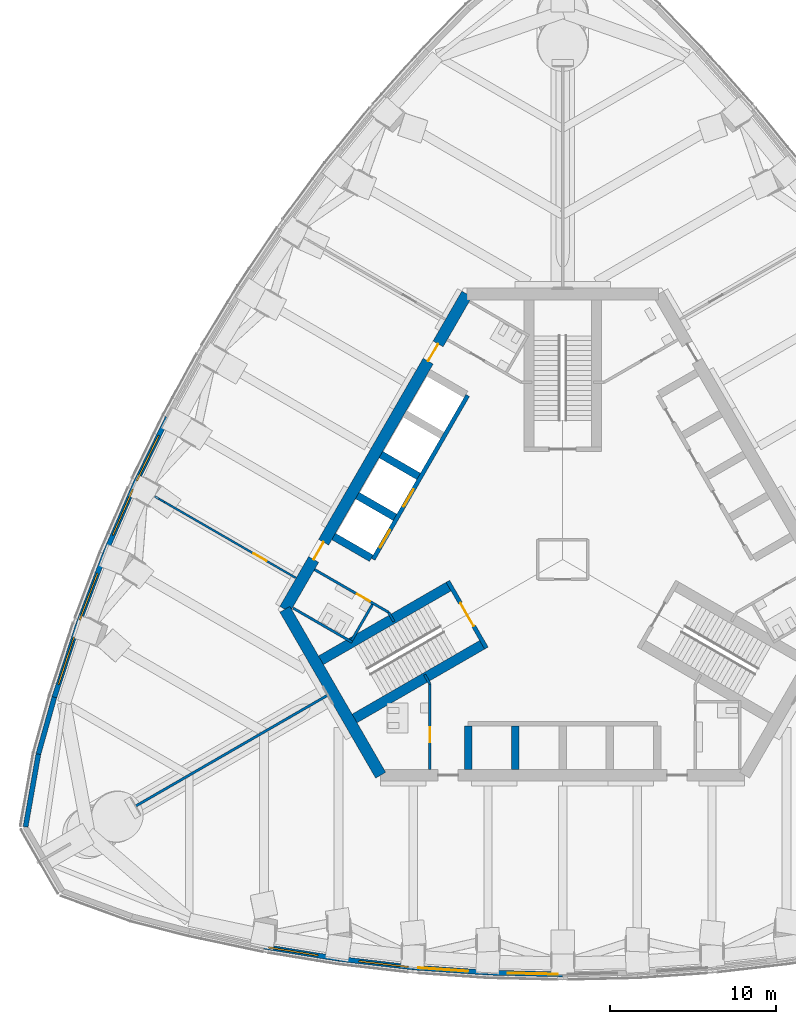
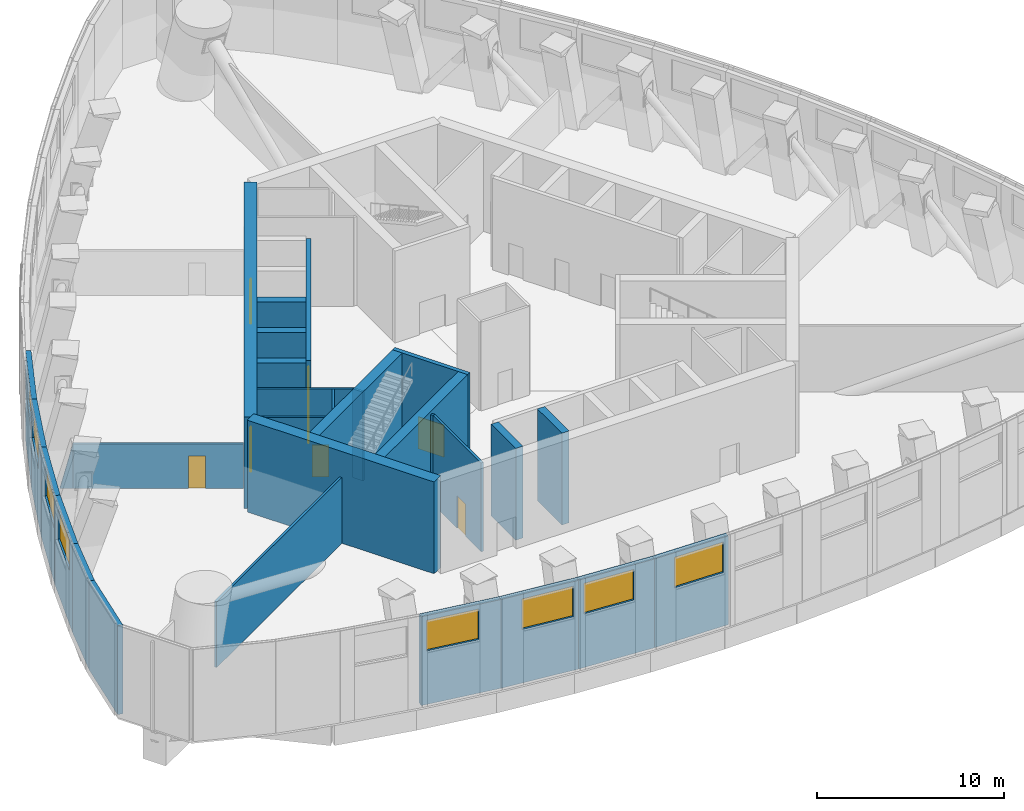
# One storey, part 6 of 22: 30 walls, 8 doors, 8 windows, 16 openings.
"""IFC4 building model written with IfcOpenShell, lengths in metres."""

from ifc_helpers import new_model, si_unit, direction, frame, frame_2d, origin, place, context, subcontext, project, spatial, polyline, rectangle, outline, extrude, material, layer, layer_set, type_object, element, fill, save


model = new_model("IFC4")

# Units and contexts
model_context = context("Model", 3, precision=1e-05, world=origin(), true_north=direction((0.0, 1.0)))
body_context = subcontext(model_context, "Body", "Model", "MODEL_VIEW")
ifc_project = project(units=[si_unit("LENGTHUNIT", "METRE"), si_unit("AREAUNIT", "SQUARE_METRE"), si_unit("VOLUMEUNIT", "CUBIC_METRE"), si_unit("PLANEANGLEUNIT", "RADIAN"), si_unit("MASSUNIT", "GRAM", prefix="KILO")], contexts=[model_context])

# Site, building, storey
site_placement = place(None, origin())
site = spatial("IfcSite", under=ifc_project, at=site_placement, CompositionType="ELEMENT")
building_placement = place(site_placement, origin())
building = spatial("IfcBuilding", under=site, at=building_placement, Name="Trefoil Bronze Tower", CompositionType="ELEMENT")
storey_placement = place(building_placement, frame((0.0, 0.0, 265.300048828125)))
storey = spatial("IfcBuildingStorey", under=building, at=storey_placement, Name="L61", CompositionType="ELEMENT", Elevation=265.300048828125)

# Wall, opening, window
ifc_material_1 = material(Name="Concrete B80", Category="concrete")
ifc_layer_1 = layer(ifc_material_1, 0.300048828125)
ifc_layer_set_1 = layer_set([ifc_layer_1], Name="Belt wall 300")
wall_type_1 = type_object("IfcWallType", Name="Belt wall 300", PredefinedType="SOLIDWALL", material=ifc_layer_set_1)
wall_1_placement = place(storey_placement, frame((-18.0, -23.3330078125, 0.0), z_axis=(0.0, 0.0, 1.0), x_axis=(0.986986525477, -0.160802980469, 0.0)))
wall_1 = element("IfcWall", 1, at=wall_1_placement, inside=storey, type_object=wall_type_1, Name="Belt wall T3.3", PredefinedType="SOLIDWALL", context=body_context, shape_type="SweptSolid", body=[
    extrude(rectangle(XDim=4.559326171875, YDim=0.300048828125, at=frame_2d((2.27978515625, 0.0))), origin(), (0.0, 0.0, 1.0), 5.800048828125),
])
opening_1_placement = place(wall_1_placement, frame((0.300048828125, 0.0, 3.5)))
opening_1 = element("IfcOpeningElement", 2, at=opening_1_placement, cuts=wall_1, Name="Opening LV1", PredefinedType="OPENING", context=body_context, shape_type="SweptSolid", body=[
    extrude(rectangle(XDim=3.0, YDim=2.0, at=frame_2d((1.5, 1.0))), frame((0.0, 0.159912109375, 0.0), z_axis=(0.0, -1.0, 0.0), x_axis=(1.0, 0.0, 0.0)), (0.0, 0.0, 1.0), 0.320068359375),
])
ifc_material_2 = material(Name="Bronze-finish aluminium louvre", Category="aluminium")
window_type = type_object("IfcWindowType", Name="Plant louvre 3000", PartitioningType="SINGLE_PANEL", PredefinedType="USERDEFINED", material=ifc_material_2)
window_1_placement = place(opening_1_placement, origin())
window_1 = element("IfcWindow", 3, at=window_1_placement, inside=storey, type_object=window_type, Name="Plant louvre L61 F1.3.1", ObjectType="LOUVRE", OverallHeight=2.0, OverallWidth=3.0, PartitioningType="SINGLE_PANEL", PredefinedType="USERDEFINED", context=body_context, shape_type="SweptSolid", body=[
    extrude(rectangle(XDim=3.0, YDim=2.0, at=frame_2d((1.5, 1.0))), frame((0.0, 0.030029296875, 0.0), z_axis=(0.0, -1.0, 0.0), x_axis=(1.0, 0.0, 0.0)), (0.0, 0.0, 1.0), 0.06005859375),
])
fill(opening_1, window_1)

wall_2_placement = place(storey_placement, frame((-13.5, -24.066162109375, 0.0), z_axis=(0.0, 0.0, 1.0), x_axis=(0.993382946625, -0.114849124309, 0.0)))
wall_2 = element("IfcWall", 4, at=wall_2_placement, inside=storey, type_object=wall_type_1, Name="Belt wall T3.4", PredefinedType="SOLIDWALL", context=body_context, shape_type="SweptSolid", body=[
    extrude(rectangle(XDim=4.530029296875, YDim=0.300048828125, at=frame_2d((2.26513671875, 0.0))), origin(), (0.0, 0.0, 1.0), 5.800048828125),
])
opening_2_placement = place(wall_2_placement, frame((1.22998046875, 0.0, 3.5)))
opening_2 = element("IfcOpeningElement", 5, at=opening_2_placement, cuts=wall_2, Name="Opening LV1", PredefinedType="OPENING", context=body_context, shape_type="SweptSolid", body=[
    extrude(rectangle(XDim=3.0, YDim=2.0, at=frame_2d((1.5, 1.0))), frame((0.0, 0.159912109375, 0.0), z_axis=(0.0, -1.0, 0.0), x_axis=(1.0, 0.0, 0.0)), (0.0, 0.0, 1.0), 0.320068359375),
])
window_2_placement = place(opening_2_placement, origin())
window_2 = element("IfcWindow", 6, at=window_2_placement, inside=storey, type_object=window_type, Name="Plant louvre L61 F1.4.1", ObjectType="LOUVRE", OverallHeight=2.0, OverallWidth=3.0, PartitioningType="SINGLE_PANEL", PredefinedType="USERDEFINED", context=body_context, shape_type="SweptSolid", body=[
    extrude(rectangle(XDim=3.0, YDim=2.0, at=frame_2d((1.5, 1.0))), frame((0.0, 0.030029296875, 0.0), z_axis=(0.0, -1.0, 0.0), x_axis=(1.0, 0.0, 0.0)), (0.0, 0.0, 1.0), 0.06005859375),
])
fill(opening_2, window_2)

wall_3_placement = place(storey_placement, frame((-9.0, -24.58642578125, 0.0), z_axis=(0.0, 0.0, 1.0), x_axis=(0.997623533978, -0.068900540297, 0.0)))
wall_3 = element("IfcWall", 7, at=wall_3_placement, inside=storey, type_object=wall_type_1, Name="Belt wall T3.5", PredefinedType="SOLIDWALL", context=body_context, shape_type="SweptSolid", body=[
    extrude(rectangle(XDim=4.5107421875, YDim=0.300048828125, at=frame_2d((2.25537109375, 0.0))), origin(), (0.0, 0.0, 1.0), 5.800048828125),
])
opening_3_placement = place(wall_3_placement, frame((0.300048828125, 0.0, 3.5)))
opening_3 = element("IfcOpeningElement", 8, at=opening_3_placement, cuts=wall_3, Name="Opening LV1", PredefinedType="OPENING", context=body_context, shape_type="SweptSolid", body=[
    extrude(rectangle(XDim=3.0, YDim=2.0, at=frame_2d((1.5, 1.0))), frame((0.0, 0.159912109375, 0.0), z_axis=(0.0, -1.0, 0.0), x_axis=(1.0, 0.0, 0.0)), (0.0, 0.0, 1.0), 0.320068359375),
])
window_3_placement = place(opening_3_placement, origin())
window_3 = element("IfcWindow", 9, at=window_3_placement, inside=storey, type_object=window_type, Name="Plant louvre L61 F1.5.1", ObjectType="LOUVRE", OverallHeight=2.0, OverallWidth=3.0, PartitioningType="SINGLE_PANEL", PredefinedType="USERDEFINED", context=body_context, shape_type="SweptSolid", body=[
    extrude(rectangle(XDim=3.0, YDim=2.0, at=frame_2d((1.5, 1.0))), frame((0.0, 0.030029296875, 0.0), z_axis=(0.0, -1.0, 0.0), x_axis=(1.0, 0.0, 0.0)), (0.0, 0.0, 1.0), 0.06005859375),
])
fill(opening_3, window_3)

wall_4_placement = place(storey_placement, frame((-4.5, -24.897216796875, 0.0), z_axis=(0.0, 0.0, 1.0), x_axis=(0.99973552509, -0.022997388381, 0.0)))
wall_4 = element("IfcWall", 10, at=wall_4_placement, inside=storey, type_object=wall_type_1, Name="Belt wall T3.6", PredefinedType="SOLIDWALL", context=body_context, shape_type="SweptSolid", body=[
    extrude(rectangle(XDim=4.501220703125, YDim=0.300048828125, at=frame_2d((2.25048828125, 0.0))), origin(), (0.0, 0.0, 1.0), 5.800048828125),
])
opening_4_placement = place(wall_4_placement, frame((1.201171875, 0.0, 3.5)))
opening_4 = element("IfcOpeningElement", 11, at=opening_4_placement, cuts=wall_4, Name="Opening LV1", PredefinedType="OPENING", context=body_context, shape_type="SweptSolid", body=[
    extrude(rectangle(XDim=3.0, YDim=2.0, at=frame_2d((1.5, 1.0))), frame((0.0, 0.159912109375, 0.0), z_axis=(0.0, -1.0, 0.0), x_axis=(1.0, 0.0, 0.0)), (0.0, 0.0, 1.0), 0.320068359375),
])
window_4_placement = place(opening_4_placement, origin())
window_4 = element("IfcWindow", 12, at=window_4_placement, inside=storey, type_object=window_type, Name="Plant louvre L61 F1.6.1", ObjectType="LOUVRE", OverallHeight=2.0, OverallWidth=3.0, PartitioningType="SINGLE_PANEL", PredefinedType="USERDEFINED", context=body_context, shape_type="SweptSolid", body=[
    extrude(rectangle(XDim=3.0, YDim=2.0, at=frame_2d((1.5, 1.0))), frame((0.0, 0.030029296875, 0.0), z_axis=(0.0, -1.0, 0.0), x_axis=(1.0, 0.0, 0.0)), (0.0, 0.0, 1.0), 0.06005859375),
])
fill(opening_4, window_4)

wall_5_placement = place(storey_placement, frame((-23.8115234375, 8.551513671875, 0.0), z_axis=(0.0, 0.0, 1.0), x_axis=(-0.439163535873, -0.898407139753, 0.0)))
wall_5 = element("IfcWall", 13, at=wall_5_placement, inside=storey, type_object=wall_type_1, Name="Belt wall T3.38", PredefinedType="SOLIDWALL", context=body_context, shape_type="SweptSolid", body=[
    extrude(rectangle(XDim=4.5107421875, YDim=0.300048828125, at=frame_2d((2.25537109375, 0.0))), origin(), (0.0, 0.0, 1.0), 5.800048828125),
])
opening_5_placement = place(wall_5_placement, frame((1.210693359375, 0.0, 3.5)))
opening_5 = element("IfcOpeningElement", 14, at=opening_5_placement, cuts=wall_5, Name="Opening LV1", PredefinedType="OPENING", context=body_context, shape_type="SweptSolid", body=[
    extrude(rectangle(XDim=3.0, YDim=2.0, at=frame_2d((1.5, 1.0))), frame((0.0, 0.159912109375, 0.0), z_axis=(0.0, -1.0, 0.0), x_axis=(1.0, 0.0, 0.0)), (0.0, 0.0, 1.0), 0.320068359375),
])
window_5_placement = place(opening_5_placement, origin())
window_5 = element("IfcWindow", 15, at=window_5_placement, inside=storey, type_object=window_type, Name="Plant louvre L61 F3.8.1", ObjectType="LOUVRE", OverallHeight=2.0, OverallWidth=3.0, PartitioningType="SINGLE_PANEL", PredefinedType="USERDEFINED", context=body_context, shape_type="SweptSolid", body=[
    extrude(rectangle(XDim=3.0, YDim=2.0, at=frame_2d((1.5, 1.0))), frame((0.0, 0.030029296875, 0.0), z_axis=(0.0, -1.0, 0.0), x_axis=(1.0, 0.0, 0.0)), (0.0, 0.0, 1.0), 0.06005859375),
])
fill(opening_5, window_5)

wall_6_placement = place(storey_placement, frame((-25.79248046875, 4.4990234375, 0.0), z_axis=(0.0, 0.0, 1.0), x_axis=(-0.397208101111, -0.917728567939, 0.0)))
wall_6 = element("IfcWall", 16, at=wall_6_placement, inside=storey, type_object=wall_type_1, Name="Belt wall T3.39", PredefinedType="SOLIDWALL", context=body_context, shape_type="SweptSolid", body=[
    extrude(rectangle(XDim=4.530029296875, YDim=0.300048828125, at=frame_2d((2.26513671875, 0.0))), origin(), (0.0, 0.0, 1.0), 5.800048828125),
])
opening_6_placement = place(wall_6_placement, frame((0.300048828125, 0.0, 3.5)))
opening_6 = element("IfcOpeningElement", 17, at=opening_6_placement, cuts=wall_6, Name="Opening LV1", PredefinedType="OPENING", context=body_context, shape_type="SweptSolid", body=[
    extrude(rectangle(XDim=3.0, YDim=2.0, at=frame_2d((1.5, 1.0))), frame((0.0, 0.159912109375, 0.0), z_axis=(0.0, -1.0, 0.0), x_axis=(1.0, 0.0, 0.0)), (0.0, 0.0, 1.0), 0.320068359375),
])
window_6_placement = place(opening_6_placement, origin())
window_6 = element("IfcWindow", 18, at=window_6_placement, inside=storey, type_object=window_type, Name="Plant louvre L61 F3.9.1", ObjectType="LOUVRE", OverallHeight=2.0, OverallWidth=3.0, PartitioningType="SINGLE_PANEL", PredefinedType="USERDEFINED", context=body_context, shape_type="SweptSolid", body=[
    extrude(rectangle(XDim=3.0, YDim=2.0, at=frame_2d((1.5, 1.0))), frame((0.0, 0.030029296875, 0.0), z_axis=(0.0, -1.0, 0.0), x_axis=(1.0, 0.0, 0.0)), (0.0, 0.0, 1.0), 0.06005859375),
])
fill(opening_6, window_6)

wall_7_placement = place(storey_placement, frame((-27.591796875, 0.341796875, 0.0), z_axis=(0.0, 0.0, 1.0), x_axis=(-0.354202230189, -0.935168851133, 0.0)))
wall_7 = element("IfcWall", 19, at=wall_7_placement, inside=storey, type_object=wall_type_1, Name="Belt wall T3.40", PredefinedType="SOLIDWALL", context=body_context, shape_type="SweptSolid", body=[
    extrude(rectangle(XDim=4.5595703125, YDim=0.300048828125, at=frame_2d((2.27978515625, 0.0))), origin(), (0.0, 0.0, 1.0), 5.800048828125),
])
opening_7_placement = place(wall_7_placement, frame((1.25927734375, 0.0, 3.5)))
opening_7 = element("IfcOpeningElement", 20, at=opening_7_placement, cuts=wall_7, Name="Opening LV1", PredefinedType="OPENING", context=body_context, shape_type="SweptSolid", body=[
    extrude(rectangle(XDim=3.0, YDim=2.0, at=frame_2d((1.5, 1.0))), frame((0.0, 0.159912109375, 0.0), z_axis=(0.0, -1.0, 0.0), x_axis=(1.0, 0.0, 0.0)), (0.0, 0.0, 1.0), 0.320068359375),
])
window_7_placement = place(opening_7_placement, origin())
window_7 = element("IfcWindow", 21, at=window_7_placement, inside=storey, type_object=window_type, Name="Plant louvre L61 F3.10.1", ObjectType="LOUVRE", OverallHeight=2.0, OverallWidth=3.0, PartitioningType="SINGLE_PANEL", PredefinedType="USERDEFINED", context=body_context, shape_type="SweptSolid", body=[
    extrude(rectangle(XDim=3.0, YDim=2.0, at=frame_2d((1.5, 1.0))), frame((0.0, 0.030029296875, 0.0), z_axis=(0.0, -1.0, 0.0), x_axis=(1.0, 0.0, 0.0)), (0.0, 0.0, 1.0), 0.06005859375),
])
fill(opening_7, window_7)

wall_8_placement = place(storey_placement, frame((-29.206787109375, -3.922119140625, 0.0), z_axis=(0.0, 0.0, 1.0), x_axis=(-0.310154105003, -0.950686294815, 0.0)))
wall_8 = element("IfcWall", 22, at=wall_8_placement, inside=storey, type_object=wall_type_1, Name="Belt wall T3.41", PredefinedType="SOLIDWALL", context=body_context, shape_type="SweptSolid", body=[
    extrude(rectangle(XDim=4.599365234375, YDim=0.300048828125, at=frame_2d((2.2998046875, 0.0))), origin(), (0.0, 0.0, 1.0), 5.800048828125),
])
opening_8_placement = place(wall_8_placement, frame((0.7998046875, 0.0, 3.5)))
opening_8 = element("IfcOpeningElement", 23, at=opening_8_placement, cuts=wall_8, Name="Opening LV1", PredefinedType="OPENING", context=body_context, shape_type="SweptSolid", body=[
    extrude(rectangle(XDim=3.0, YDim=2.0, at=frame_2d((1.5, 1.0))), frame((0.0, 0.159912109375, 0.0), z_axis=(0.0, -1.0, 0.0), x_axis=(1.0, 0.0, 0.0)), (0.0, 0.0, 1.0), 0.320068359375),
])
window_8_placement = place(opening_8_placement, origin())
window_8 = element("IfcWindow", 24, at=window_8_placement, inside=storey, type_object=window_type, Name="Plant louvre L61 F3.11.1", ObjectType="LOUVRE", OverallHeight=2.0, OverallWidth=3.0, PartitioningType="SINGLE_PANEL", PredefinedType="USERDEFINED", context=body_context, shape_type="SweptSolid", body=[
    extrude(rectangle(XDim=3.0, YDim=2.0, at=frame_2d((1.5, 1.0))), frame((0.0, 0.030029296875, 0.0), z_axis=(0.0, -1.0, 0.0), x_axis=(1.0, 0.0, 0.0)), (0.0, 0.0, 1.0), 0.06005859375),
])
fill(opening_8, window_8)

# Walls
wall_9_placement = place(storey_placement, frame((-30.63330078125, -8.294677734375, 0.0), z_axis=(0.0, 0.0, 1.0), x_axis=(-0.270338835198, -0.962765243548, 0.0)))
element("IfcWall", 25, at=wall_9_placement, inside=storey, type_object=wall_type_1, Name="Belt wall T3.42", PredefinedType="SOLIDWALL", context=body_context, shape_type="SweptSolid", body=[
    extrude(rectangle(XDim=3.5634765625, YDim=0.300048828125, at=frame_2d((1.78173828125, 0.0))), origin(), (0.0, 0.0, 1.0), 5.800048828125),
])
wall_10_placement = place(storey_placement, frame((-31.5966796875, -11.7255859375, 0.0), z_axis=(0.0, 0.0, 1.0), x_axis=(-0.173619736019, -0.984812767619, 0.0)))
element("IfcWall", 26, at=wall_10_placement, inside=storey, type_object=wall_type_1, Name="Belt wall T3.43", PredefinedType="SOLIDWALL", context=body_context, shape_type="SweptSolid", body=[
    extrude(rectangle(XDim=4.45751953125, YDim=0.300048828125, at=frame_2d((2.228759765625, 0.0))), origin(), (0.0, 0.0, 1.0), 5.800048828125),
])

# Wall, openings, doors
ifc_material_3 = material(Name="Concrete B80", Category="concrete")
ifc_layer_2 = layer(ifc_material_3, 0.699951171875)
ifc_layer_set_2 = layer_set([ifc_layer_2], Name="Core wall 700")
wall_type_2 = type_object("IfcWallType", Name="Core wall 700", PredefinedType="SHEAR", material=ifc_layer_set_2)
wall_11_placement = place(storey_placement, frame((-5.7734375, 16.0, 0.0), z_axis=(0.0, 0.0, 1.0), x_axis=(-0.500002442456, -0.866023993627, 0.0)))
wall_11 = element("IfcWall", 27, at=wall_11_placement, inside=storey, type_object=wall_type_2, Name="Core long wall 3 L61", PredefinedType="SHEAR", context=body_context, shape_type="SweptSolid", body=[
    extrude(rectangle(XDim=21.939453125, YDim=0.699951171875, at=frame_2d((10.9697265625, 0.0))), origin(), (0.0, 0.0, 1.0), 6.0),
])
opening_9_placement = place(wall_11_placement, frame((17.269775390625, 0.0, 0.0)))
opening_9 = element("IfcOpeningElement", 28, at=opening_9_placement, cuts=wall_11, Name="Opening D2", PredefinedType="OPENING", context=body_context, shape_type="SweptSolid", body=[
    extrude(rectangle(XDim=1.199951171875, YDim=2.10009765625, at=frame_2d((0.60009765625, 1.050048828125))), frame((0.0, 0.35986328125, 0.0), z_axis=(0.0, -1.0, 0.0), x_axis=(1.0, 0.0, 0.0)), (0.0, 0.0, 1.0), 0.719970703125),
])
opening_10_placement = place(wall_11_placement, frame((3.4697265625, 0.0, 0.0)))
opening_10 = element("IfcOpeningElement", 29, at=opening_10_placement, cuts=wall_11, Name="Opening D2", PredefinedType="OPENING", context=body_context, shape_type="SweptSolid", body=[
    extrude(rectangle(XDim=1.199951171875, YDim=2.10009765625, at=frame_2d((0.60009765625, 1.050048828125))), frame((0.0, 0.35986328125, 0.0), z_axis=(0.0, -1.0, 0.0), x_axis=(1.0, 0.0, 0.0)), (0.0, 0.0, 1.0), 0.719970703125),
])
ifc_material_4 = material(Name="Steel door", Category="steel")
door_type_1 = type_object("IfcDoorType", Name="Lobby door 1200", OperationType="SINGLE_SWING_RIGHT", PredefinedType="DOOR", material=ifc_material_4)
door_1_placement = place(opening_9_placement, origin())
door_1 = element("IfcDoor", 30, at=door_1_placement, inside=storey, type_object=door_type_1, Name="Lobby door F3+ L61", OperationType="SINGLE_SWING_RIGHT", OverallHeight=2.10009765625, OverallWidth=1.199951171875, PredefinedType="DOOR", context=body_context, shape_type="SweptSolid", body=[
    extrude(rectangle(XDim=1.199951171875, YDim=2.10009765625, at=frame_2d((0.60009765625, 1.050048828125))), frame((0.0, 0.02490234375, 0.0), z_axis=(0.0, -1.0, 0.0), x_axis=(1.0, 0.0, 0.0)), (0.0, 0.0, 1.0), 0.050048828125),
])
fill(opening_9, door_1)
door_2_placement = place(opening_10_placement, origin())
door_2 = element("IfcDoor", 31, at=door_2_placement, inside=storey, type_object=door_type_1, Name="Lobby door F3- L61", OperationType="SINGLE_SWING_LEFT", OverallHeight=2.10009765625, OverallWidth=1.199951171875, PredefinedType="DOOR", context=body_context, shape_type="SweptSolid", body=[
    extrude(rectangle(XDim=1.199951171875, YDim=2.10009765625, at=frame_2d((0.60009765625, 1.050048828125))), frame((0.0, 0.02490234375, 0.0), z_axis=(0.0, -1.0, 0.0), x_axis=(1.0, 0.0, 0.0)), (0.0, 0.0, 1.0), 0.050048828125),
])
fill(opening_10, door_2)

# Walls
wall_12_placement = place(storey_placement, frame((-16.7431640625, -3.0, 0.0), z_axis=(0.0, 0.0, 1.0), x_axis=(0.499995765644, -0.866027848477, 0.0)))
element("IfcWall", 32, at=wall_12_placement, inside=storey, type_object=wall_type_2, Name="Core short wall 3 L61", PredefinedType="SHEAR", context=body_context, shape_type="SweptSolid", body=[
    extrude(rectangle(XDim=11.546875, YDim=0.699951171875, at=frame_2d((5.7734375, 0.0))), origin(), (0.0, 0.0, 1.0), 6.0),
])
ifc_material_5 = material(Name="Glazed partition", Category="glass")
ifc_layer_3 = layer(ifc_material_5, 0.1201171875)
ifc_layer_set_3 = layer_set([ifc_layer_3], Name="Glazed partition 120")
wall_type_3 = type_object("IfcWallType", Name="Glazed partition 120", PredefinedType="PARTITIONING", material=ifc_layer_set_3)
wall_13_placement = place(storey_placement, frame((-23.985595703125, 3.455810546875, 0.0), z_axis=(0.0, 0.0, 1.0), x_axis=(-0.866138304741, 0.499804398801, 0.0)))
element("IfcWall", 33, at=wall_13_placement, inside=storey, type_object=wall_type_3, Name="Partition F3 L61", PredefinedType="PARTITIONING", context=body_context, shape_type="SweptSolid", body=[
    extrude(outline(polyline([(0.0, 0.0), (0.687744140625, 0.0), (0.687744140625, 0.050048828125), (0.0, 2.89990234375), (0.0, 0.0)])), frame((0.0, 0.06005859375, 0.0), z_axis=(0.0, -1.0, 0.0), x_axis=(1.0, 0.0, 0.0)), (0.0, 0.0, 1.0), 0.1201171875),
])

# Wall, opening, door
wall_14_placement = place(storey_placement, frame((-16.078857421875, -1.109130859375, 0.0), z_axis=(0.0, 0.0, 1.0), x_axis=(-0.866026165896, 0.499998679983, 0.0)))
wall_14 = element("IfcWall", 34, at=wall_14_placement, inside=storey, type_object=wall_type_3, Name="Partition F3 L61", PredefinedType="PARTITIONING", context=body_context, shape_type="SweptSolid", body=[
    extrude(rectangle(XDim=9.1298828125, YDim=0.1201171875, at=frame_2d((4.56494140625, 0.0))), origin(), (0.0, 0.0, 1.0), 2.89990234375),
])
opening_11_placement = place(wall_14_placement, frame((2.050048828125, 0.0, 0.0)))
opening_11 = element("IfcOpeningElement", 35, at=opening_11_placement, cuts=wall_14, Name="Opening D8", PredefinedType="OPENING", context=body_context, shape_type="SweptSolid", body=[
    extrude(rectangle(XDim=0.89990234375, YDim=2.10009765625, at=frame_2d((0.449951171875, 1.050048828125))), frame((0.0, 0.070068359375, 0.0), z_axis=(0.0, -1.0, 0.0), x_axis=(1.0, 0.0, 0.0)), (0.0, 0.0, 1.0), 0.14013671875),
])
ifc_material_6 = material(Name="Timber door", Category="wood")
door_type_2 = type_object("IfcDoorType", Name="Office door 900", OperationType="SINGLE_SWING_LEFT", PredefinedType="DOOR", material=ifc_material_6)
door_3_placement = place(opening_11_placement, frame((0.89990234375, 0.0, 0.0), z_axis=(0.0, 0.0, 1.0), x_axis=(-1.0, 0.0, 0.0)))
door_3 = element("IfcDoor", 36, at=door_3_placement, inside=storey, type_object=door_type_2, Name="Switchgear plant room door F3 L61", OperationType="SINGLE_SWING_RIGHT", OverallHeight=2.10009765625, OverallWidth=0.89990234375, PredefinedType="DOOR", context=body_context, shape_type="SweptSolid", body=[
    extrude(rectangle(XDim=0.89990234375, YDim=2.10009765625, at=frame_2d((0.449951171875, 1.050048828125))), frame((0.0, 0.02490234375, 0.0), z_axis=(0.0, -1.0, 0.0), x_axis=(1.0, 0.0, 0.0)), (0.0, 0.0, 1.0), 0.050048828125),
])
fill(opening_11, door_3)

# Walls
ifc_material_7 = material(Name="Concrete B80", Category="concrete")
ifc_layer_4 = layer(ifc_material_7, 0.449951171875)
ifc_layer_set_4 = layer_set([ifc_layer_4], Name="Outrigger shaft wall 450")
wall_type_4 = type_object("IfcWallType", Name="Outrigger shaft wall 450", PredefinedType="SHEAR", material=ifc_layer_set_4)
for number, where, z_axis, x_axis, name in (
    (37, (-5.699951171875, -10.02490234375, 0.0), (0.0, 0.0, 1.0), (0.0, -1.0, 0.0), "Lift shaft side wall A0 L61"),
    (38, (-2.85009765625, -10.02490234375, 0.0), (0.0, 0.0, 1.0), (0.0, -1.0, 0.0), "Lift shaft side wall A1 L61"),
    (39, (-8.681884765625, 5.012451171875, 0.0), (0.0, 0.0, 1.0), (-0.866036909293, 0.499980071345, 0.0), "Lift shaft side wall C2 L61"),
    (40, (-10.10693359375, 2.54443359375, 0.0), (0.0, 0.0, 1.0), (-0.866013657776, 0.500020344131, 0.0), "Lift shaft side wall C3 L61"),
    (41, (-11.531982421875, 0.076171875, 0.0), (0.0, 0.0, 1.0), (-0.866013657776, 0.500020344131, 0.0), "Lift shaft side wall C4 L61"),
):
    element("IfcWall", number, at=place(storey_placement, frame(where, z_axis=z_axis, x_axis=x_axis)), inside=storey, type_object=wall_type_4, Name=name, PredefinedType="SHEAR", context=body_context, shape_type="SweptSolid", body=[
        extrude(rectangle(XDim=2.625, YDim=0.449951171875, at=frame_2d((1.3125, 0.0))), origin(), (0.0, 0.0, 1.0), 6.0),
    ])

# Wall, opening, door
ifc_material_8 = material(Name="Gypsum board on steel studs", Category="steel")
ifc_layer_5 = layer(ifc_material_8, 0.14990234375)
ifc_layer_set_5 = layer_set([ifc_layer_5], Name="Partition 150")
wall_type_5 = type_object("IfcWallType", Name="Partition 150", PredefinedType="PARTITIONING", material=ifc_layer_set_5)
wall_15_placement = place(storey_placement, frame((-8.0, -7.5, 0.0), z_axis=(0.0, 0.0, 1.0), x_axis=(0.0, -1.0, 0.0)))
wall_15 = element("IfcWall", 42, at=wall_15_placement, inside=storey, type_object=wall_type_5, Name="Passage wall F1- L61", PredefinedType="PARTITIONING", context=body_context, shape_type="SweptSolid", body=[
    extrude(rectangle(XDim=5.14990234375, YDim=0.14990234375, at=frame_2d((2.574951171875, 0.0))), origin(), (0.0, 0.0, 1.0), 5.800048828125),
])
opening_12_placement = place(wall_15_placement, frame((2.60009765625, 0.0, 0.0)))
opening_12 = element("IfcOpeningElement", 43, at=opening_12_placement, cuts=wall_15, Name="Opening D3", PredefinedType="OPENING", context=body_context, shape_type="SweptSolid", body=[
    extrude(rectangle(XDim=0.89990234375, YDim=2.10009765625, at=frame_2d((0.449951171875, 1.050048828125))), frame((0.0, 0.0849609375, 0.0), z_axis=(0.0, -1.0, 0.0), x_axis=(1.0, 0.0, 0.0)), (0.0, 0.0, 1.0), 0.169921875),
])
ifc_material_9 = material(Name="Timber door", Category="wood")
door_type_3 = type_object("IfcDoorType", Name="WC door 900", OperationType="SINGLE_SWING_LEFT", PredefinedType="DOOR", material=ifc_material_9)
door_4_placement = place(opening_12_placement, frame((0.89990234375, 0.0, 0.0), z_axis=(0.0, 0.0, 1.0), x_axis=(-1.0, 0.0, 0.0)))
door_4 = element("IfcDoor", 44, at=door_4_placement, inside=storey, type_object=door_type_3, Name="WC (women) door L61", OperationType="SINGLE_SWING_LEFT", OverallHeight=2.10009765625, OverallWidth=0.89990234375, PredefinedType="DOOR", context=body_context, shape_type="SweptSolid", body=[
    extrude(rectangle(XDim=0.89990234375, YDim=2.10009765625, at=frame_2d((0.449951171875, 1.050048828125))), frame((0.0, 0.02490234375, 0.0), z_axis=(0.0, -1.0, 0.0), x_axis=(1.0, 0.0, 0.0)), (0.0, 0.0, 1.0), 0.050048828125),
])
fill(opening_12, door_4)

wall_16_placement = place(storey_placement, frame((-10.4951171875, -3.17822265625, 0.0), z_axis=(0.0, 0.0, 1.0), x_axis=(-0.866037967349, 0.499978238636, 0.0)))
wall_16 = element("IfcWall", 45, at=wall_16_placement, inside=storey, type_object=wall_type_5, Name="Passage wall F3+ L61", PredefinedType="PARTITIONING", context=body_context, shape_type="SweptSolid", body=[
    extrude(rectangle(XDim=5.150146484375, YDim=0.14990234375, at=frame_2d((2.5751953125, 0.0))), origin(), (0.0, 0.0, 1.0), 5.800048828125),
])
opening_13_placement = place(wall_16_placement, frame((1.300048828125, 0.0, 0.0)))
opening_13 = element("IfcOpeningElement", 46, at=opening_13_placement, cuts=wall_16, Name="Opening D3", PredefinedType="OPENING", context=body_context, shape_type="SweptSolid", body=[
    extrude(rectangle(XDim=0.89990234375, YDim=2.10009765625, at=frame_2d((0.449951171875, 1.050048828125))), frame((0.0, 0.0849609375, 0.0), z_axis=(0.0, -1.0, 0.0), x_axis=(1.0, 0.0, 0.0)), (0.0, 0.0, 1.0), 0.169921875),
])
door_5_placement = place(opening_13_placement, origin())
door_5 = element("IfcDoor", 47, at=door_5_placement, inside=storey, type_object=door_type_3, Name="WC (men) door L61", OperationType="SINGLE_SWING_LEFT", OverallHeight=2.10009765625, OverallWidth=0.89990234375, PredefinedType="DOOR", context=body_context, shape_type="SweptSolid", body=[
    extrude(rectangle(XDim=0.89990234375, YDim=2.10009765625, at=frame_2d((0.449951171875, 1.050048828125))), frame((0.0, 0.02490234375, 0.0), z_axis=(0.0, -1.0, 0.0), x_axis=(1.0, 0.0, 0.0)), (0.0, 0.0, 1.0), 0.050048828125),
])
fill(opening_13, door_5)

# Walls
for number, where, z_axis, x_axis, name in (
    (48, (-10.4951171875, -3.17822265625, 0.0), (0.0, 0.0, 1.0), (0.499842556608, -0.866116284689, 0.0), "WC wall ST3-1 L61"),
    (49, (-8.0, -7.5, 0.0), (0.0, 0.0, 1.0), (-0.499842556608, 0.866116284689, 0.0), "WC wall ST3+1 L61"),
):
    element("IfcWall", number, at=place(storey_placement, frame(where, z_axis=z_axis, x_axis=x_axis)), inside=storey, type_object=wall_type_5, Name=name, PredefinedType="PARTITIONING", context=body_context, shape_type="SweptSolid", body=[
        extrude(rectangle(XDim=0.645263671875, YDim=0.14990234375, at=frame_2d((0.32275390625, 0.0))), origin(), (0.0, 0.0, 1.0), 5.800048828125),
    ])
wall_17_placement = place(storey_placement, frame((-12.691162109375, -4.98193359375, 0.0), z_axis=(0.0, 0.0, 1.0), x_axis=(-0.8660249478, 0.500000789788, 0.0)))
element("IfcWall", 50, at=wall_17_placement, inside=storey, type_object=wall_type_5, Name="WC partition WC (men) L61", PredefinedType="PARTITIONING", context=body_context, shape_type="SweptSolid", body=[
    extrude(rectangle(XDim=4.10009765625, YDim=0.14990234375, at=frame_2d((2.050048828125, 0.0))), origin(), (0.0, 0.0, 1.0), 5.800048828125),
])
wall_18_placement = place(storey_placement, frame((-11.463623046875, -2.70556640625, 0.0), z_axis=(0.0, 0.0, 1.0), x_axis=(-0.50001992892, -0.866013897511, 0.0)))
element("IfcWall", 51, at=wall_18_placement, inside=storey, type_object=wall_type_5, Name="WC partition WC (men) L61", PredefinedType="PARTITIONING", context=body_context, shape_type="SweptSolid", body=[
    extrude(rectangle(XDim=2.51025390625, YDim=0.14990234375, at=frame_2d((1.255126953125, 0.0))), origin(), (0.0, 0.0, 1.0), 5.800048828125),
])
ifc_material_10 = material(Name="Gypsum board on steel studs", Category="steel")
ifc_layer_6 = layer(ifc_material_10, 0.14990234375)
ifc_layer_set_6 = layer_set([ifc_layer_6], Name="Party wall 150")
wall_type_6 = type_object("IfcWallType", Name="Party wall 150", PredefinedType="PARTITIONING", material=ifc_layer_set_6)
wall_19_placement = place(storey_placement, frame((-14.159423828125, -8.175048828125, 0.0), z_axis=(0.0, 0.0, 1.0), x_axis=(-0.866026905467, -0.499997399001, 0.0)))
element("IfcWall", 52, at=wall_19_placement, inside=storey, type_object=wall_type_6, Name="Party wall K3 L61", PredefinedType="PARTITIONING", context=body_context, shape_type="SweptSolid", body=[
    extrude(rectangle(XDim=13.39990234375, YDim=0.14990234375, at=frame_2d((6.699951171875, 0.0))), origin(), (0.0, 0.0, 1.0), 4.300048828125),
])

# Wall, openings, doors
ifc_material_11 = material(Name="Concrete B80", Category="concrete")
ifc_layer_7 = layer(ifc_material_11, 0.25)
ifc_layer_set_7 = layer_set([ifc_layer_7], Name="Shaft wall 250")
wall_type_7 = type_object("IfcWallType", Name="Shaft wall 250", PredefinedType="SHEAR", material=ifc_layer_set_7)
wall_20_placement = place(storey_placement, frame((-5.7236328125, 9.88623046875, 0.0), z_axis=(0.0, 0.0, 1.0), x_axis=(-0.500001763848, -0.866024385424, 0.0)))
wall_20 = element("IfcWall", 53, at=wall_20_placement, inside=storey, type_object=wall_type_7, Name="Lift shaft front wall C L61", PredefinedType="SHEAR", context=body_context, shape_type="SweptSolid", body=[
    extrude(rectangle(XDim=11.39990234375, YDim=0.25, at=frame_2d((5.699951171875, 0.0))), origin(), (0.0, 0.0, 1.0), 6.0),
])
opening_14_placement = place(wall_20_placement, frame((6.52490234375, 0.0, 0.0)))
opening_14 = element("IfcOpeningElement", 54, at=opening_14_placement, cuts=wall_20, Name="Opening LD-FL1", PredefinedType="OPENING", context=body_context, shape_type="SweptSolid", body=[
    extrude(rectangle(XDim=1.199951171875, YDim=2.199951171875, at=frame_2d((0.60009765625, 1.10009765625))), frame((0.0, 0.135009765625, 0.0), z_axis=(0.0, -1.0, 0.0), x_axis=(1.0, 0.0, 0.0)), (0.0, 0.0, 1.0), 0.27001953125),
])
opening_15_placement = place(wall_20_placement, frame((9.375, 0.0, 0.0)))
opening_15 = element("IfcOpeningElement", 55, at=opening_15_placement, cuts=wall_20, Name="Opening LD-FL2", PredefinedType="OPENING", context=body_context, shape_type="SweptSolid", body=[
    extrude(rectangle(XDim=1.199951171875, YDim=2.199951171875, at=frame_2d((0.60009765625, 1.10009765625))), frame((0.0, 0.135009765625, 0.0), z_axis=(0.0, -1.0, 0.0), x_axis=(1.0, 0.0, 0.0)), (0.0, 0.0, 1.0), 0.27001953125),
])
ifc_material_12 = material(Name="Steel door", Category="steel")
door_type_4 = type_object("IfcDoorType", Name="Lift landing door 1200", OperationType="DOUBLE_DOOR_SLIDING", PredefinedType="DOOR", material=ifc_material_12)
door_6_placement = place(opening_14_placement, origin())
door_6 = element("IfcDoor", 56, at=door_6_placement, inside=storey, type_object=door_type_4, Name="Lift FL1 landing door L61", OperationType="DOUBLE_DOOR_SLIDING", OverallHeight=2.199951171875, OverallWidth=1.199951171875, PredefinedType="DOOR", context=body_context, shape_type="SweptSolid", body=[
    extrude(rectangle(XDim=1.199951171875, YDim=2.199951171875, at=frame_2d((0.60009765625, 1.10009765625))), frame((0.0, 0.02490234375, 0.0), z_axis=(0.0, -1.0, 0.0), x_axis=(1.0, 0.0, 0.0)), (0.0, 0.0, 1.0), 0.050048828125),
])
fill(opening_14, door_6)
door_7_placement = place(opening_15_placement, origin())
door_7 = element("IfcDoor", 57, at=door_7_placement, inside=storey, type_object=door_type_4, Name="Lift FL2 landing door L61", OperationType="DOUBLE_DOOR_SLIDING", OverallHeight=2.199951171875, OverallWidth=1.199951171875, PredefinedType="DOOR", context=body_context, shape_type="SweptSolid", body=[
    extrude(rectangle(XDim=1.199951171875, YDim=2.199951171875, at=frame_2d((0.60009765625, 1.10009765625))), frame((0.0, 0.02490234375, 0.0), z_axis=(0.0, -1.0, 0.0), x_axis=(1.0, 0.0, 0.0)), (0.0, 0.0, 1.0), 0.050048828125),
])
fill(opening_15, door_7)

# Wall, opening, door
wall_21_placement = place(storey_placement, frame((-6.921630859375, -1.3115234375, 0.0), z_axis=(0.0, 0.0, 1.0), x_axis=(0.499984536904, -0.866034331223, 0.0)))
wall_21 = element("IfcWall", 58, at=wall_21_placement, inside=storey, type_object=wall_type_7, Name="Stair end wall ST3 L61", PredefinedType="SHEAR", context=body_context, shape_type="SweptSolid", body=[
    extrude(rectangle(XDim=4.650146484375, YDim=0.25, at=frame_2d((2.3251953125, 0.0))), origin(), (0.0, 0.0, 1.0), 6.0),
])
opening_16_placement = place(wall_21_placement, frame((1.52490234375, 0.0, 0.0)))
opening_16 = element("IfcOpeningElement", 59, at=opening_16_placement, cuts=wall_21, Name="Opening D1", PredefinedType="OPENING", context=body_context, shape_type="SweptSolid", body=[
    extrude(rectangle(XDim=1.60009765625, YDim=2.10009765625, at=frame_2d((0.800048828125, 1.050048828125))), frame((0.0, 0.135009765625, 0.0), z_axis=(0.0, -1.0, 0.0), x_axis=(1.0, 0.0, 0.0)), (0.0, 0.0, 1.0), 0.27001953125),
])
ifc_material_13 = material(Name="Steel door", Category="steel")
door_type_5 = type_object("IfcDoorType", Name="Stair door 1600", OperationType="DOUBLE_DOOR_SINGLE_SWING", PredefinedType="DOOR", material=ifc_material_13)
door_8_placement = place(opening_16_placement, frame((1.60009765625, 0.0, 0.0), z_axis=(0.0, 0.0, 1.0), x_axis=(-1.0, 0.0, 0.0)))
door_8 = element("IfcDoor", 60, at=door_8_placement, inside=storey, type_object=door_type_5, Name="Stair door ST3 L61", OperationType="DOUBLE_DOOR_SINGLE_SWING", OverallHeight=2.10009765625, OverallWidth=1.60009765625, PredefinedType="DOOR", context=body_context, shape_type="SweptSolid", body=[
    extrude(rectangle(XDim=1.60009765625, YDim=2.10009765625, at=frame_2d((0.800048828125, 1.050048828125))), frame((0.0, 0.02490234375, 0.0), z_axis=(0.0, -1.0, 0.0), x_axis=(1.0, 0.0, 0.0)), (0.0, 0.0, 1.0), 0.050048828125),
])
fill(opening_16, door_8)

# Walls
ifc_material_14 = material(Name="Concrete B80", Category="concrete")
ifc_layer_8 = layer(ifc_material_14, 0.60009765625)
ifc_layer_set_8 = layer_set([ifc_layer_8], Name="Stair wall 600")
wall_type_8 = type_object("IfcWallType", Name="Stair wall 600", PredefinedType="SHEAR", material=ifc_layer_set_8)
for number, where, z_axis, x_axis, name in (
    (61, (-6.663330078125, -1.5087890625, 0.0), (0.0, 0.0, 1.0), (-0.866028310072, -0.499994966129, 0.0), "Stair wall ST3 L61"),
    (62, (-4.638427734375, -5.01611328125, 0.0), (0.0, 0.0, 1.0), (-0.866021621257, -0.500006551472, 0.0), "Stair wall ST3 L61"),
):
    element("IfcWall", number, at=place(storey_placement, frame(where, z_axis=z_axis, x_axis=x_axis)), inside=storey, type_object=wall_type_8, Name=name, PredefinedType="SHEAR", context=body_context, shape_type="SweptSolid", body=[
        extrude(rectangle(XDim=9.125, YDim=0.60009765625, at=frame_2d((4.5625, 0.0))), origin(), (0.0, 0.0, 1.0), 6.0),
    ])

save(model, "model.ifc")
